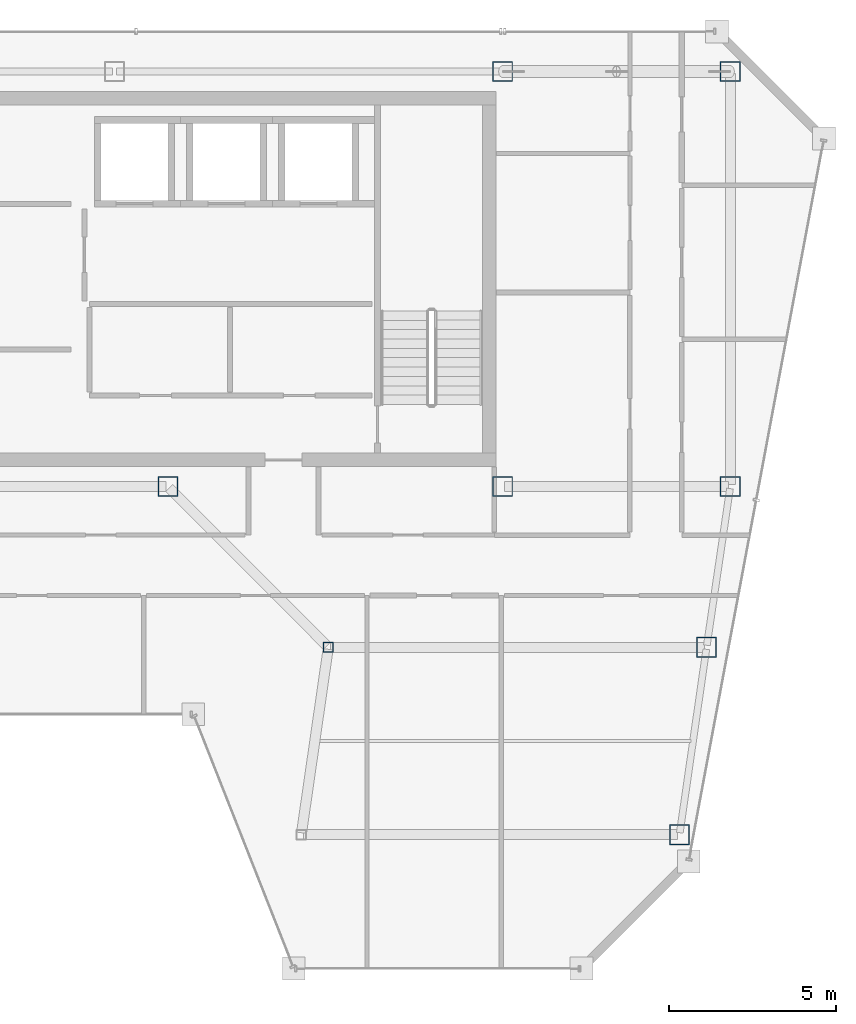
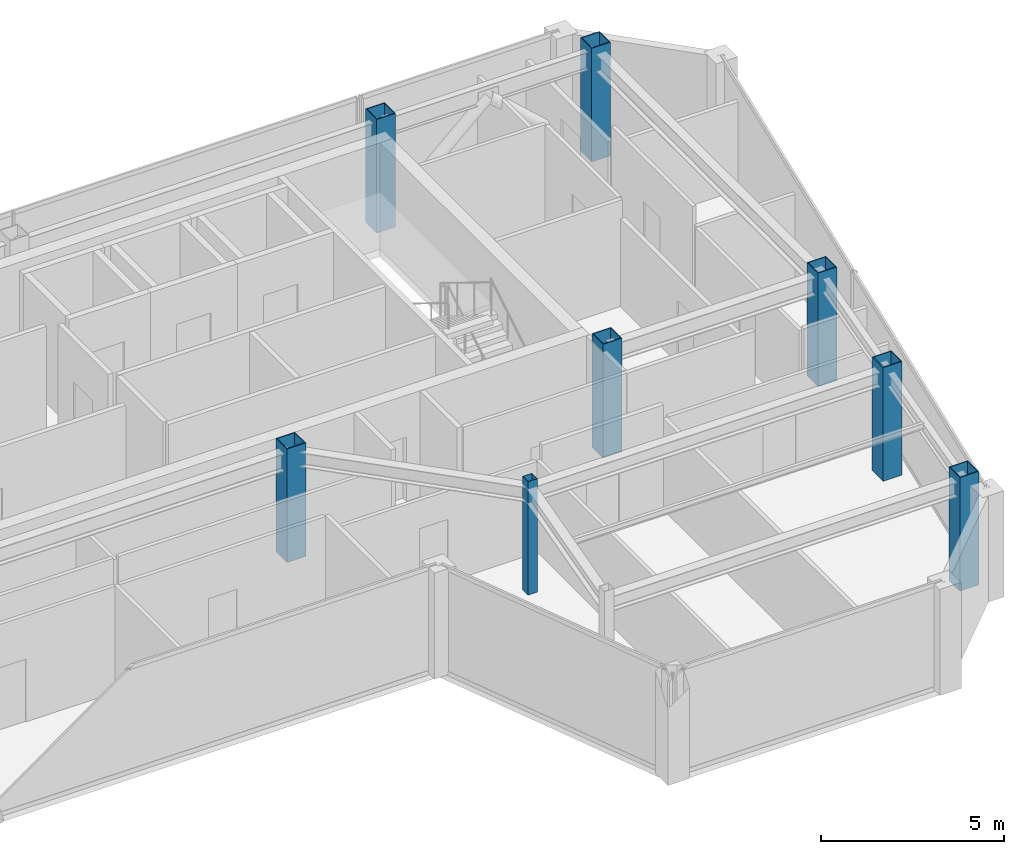
# One storey, part 2 of 23: 8 columns.
"""IFC4 building model written with IfcOpenShell, lengths in metres."""

import ifcopenshell
import ifcopenshell.guid

model = None  # the IFC model being written
_history = None  # IfcOwnerHistory: only IFC2X3 demands one
_inside = {}  # id of a spatial element -> (the spatial element, [elements in it])
_under = {}  # id of a project, library or spatial element -> (it, [spatial elements below it])
_declared = {}  # id of a project -> (the project, [libraries it declares])
_typed = {}  # id of a type object -> (the type object, [elements of that type])
_made_of = {}  # id of a material, layer set ... -> (it, [elements and type objects made of it])


def new_model(schema):
    """Start an empty IFC model of exactly this schema.

    Asked for "IFC4X3", IfcOpenShell would pick the latest addendum, in which some entities
    have other attributes; the version numbers below select the first issue.
    IFC2X3 requires an IfcOwnerHistory on every rooted entity: one is made here for all.
    """
    global model, _history
    if schema == "IFC4X3":
        model = ifcopenshell.file(schema_version=(4, 3, 0, 0))
    else:
        model = ifcopenshell.file(schema=schema)
    _inside.clear()
    _under.clear()
    _declared.clear()
    _typed.clear()
    _made_of.clear()
    _history = None
    if model.schema == "IFC2X3":
        org = make("IfcOrganization", Name="unknown")
        user = make(
            "IfcPersonAndOrganization",
            ThePerson=make("IfcPerson", FamilyName="unknown"),
            TheOrganization=org,
        )
        app = make(
            "IfcApplication",
            ApplicationDeveloper=org,
            Version="unknown",
            ApplicationFullName="unknown",
            ApplicationIdentifier="unknown",
        )
        _history = make(
            "IfcOwnerHistory",
            OwningUser=user,
            OwningApplication=app,
            ChangeAction="ADDED",
            CreationDate=0,
        )
    return model


def make(cls, **values):
    """One entity of the class cls with the attributes given. An attribute that is None is left unset."""
    return model.create_entity(
        cls, **{name: value for name, value in values.items() if value is not None}
    )


def rooted(cls, **values):
    """An entity with a GlobalId (a new one), such as an element, a storey or a relation."""
    return make(cls, GlobalId=ifcopenshell.guid.new(), OwnerHistory=_history, **values)


def si_unit(unit_type, name, prefix=None):
    """IfcSIUnit, for example si_unit("LENGTHUNIT", "METRE", prefix="MILLI")."""
    return make("IfcSIUnit", UnitType=unit_type, Prefix=prefix, Name=name)


def assignment(units):
    """IfcUnitAssignment: the units of a project."""
    return None if units is None else make("IfcUnitAssignment", Units=units)


def point(xyz):
    """IfcCartesianPoint."""
    return None if xyz is None else make("IfcCartesianPoint", Coordinates=xyz)


def direction(xyz):
    """IfcDirection."""
    return None if xyz is None else make("IfcDirection", DirectionRatios=xyz)


def frame(location, z_axis=None, x_axis=None):
    """IfcAxis2Placement3D, a coordinate frame: its origin and axes. An axis left out is left unset."""
    return make(
        "IfcAxis2Placement3D",
        Location=point(location),
        Axis=direction(z_axis),
        RefDirection=direction(x_axis),
    )


def frame_2d(location, x_axis=None):
    """IfcAxis2Placement2D, a coordinate frame in the plane: its origin and x axis."""
    return make(
        "IfcAxis2Placement2D", Location=point(location), RefDirection=direction(x_axis)
    )


def origin():
    """The frame at (0, 0, 0) with its axes left unset."""
    return frame((0.0, 0.0, 0.0))


def origin_2d():
    """The frame at (0, 0) in the plane with its x axis left unset."""
    return frame_2d((0.0, 0.0))


def place(relative_to, where):
    """IfcLocalPlacement: puts the frame where relative to a parent placement (None: the world)."""
    return make(
        "IfcLocalPlacement", PlacementRelTo=relative_to, RelativePlacement=where
    )


def context(
    kind, dimensions, precision=None, world=None, true_north=None, identifier=None
):
    """IfcGeometricRepresentationContext, for example the 3D "Model" context."""
    return make(
        "IfcGeometricRepresentationContext",
        ContextIdentifier=identifier,
        ContextType=kind,
        CoordinateSpaceDimension=dimensions,
        Precision=precision,
        WorldCoordinateSystem=world,
        TrueNorth=true_north,
    )


def subcontext(parent, identifier, kind, view, scale=None):
    """IfcGeometricRepresentationSubContext, for example "Body" below "Model"."""
    return make(
        "IfcGeometricRepresentationSubContext",
        ContextIdentifier=identifier,
        ContextType=kind,
        ParentContext=parent,
        TargetScale=scale,
        TargetView=view,
    )


def project(units=None, contexts=None):
    """IfcProject with its units and contexts."""
    return rooted(
        "IfcProject",
        Name="project",
        RepresentationContexts=contexts,
        UnitsInContext=assignment(units),
    )


def spatial(cls, under=None, at=None, **own):
    """A site, building, storey or space (cls), placed at a placement, below another one or the project."""
    s = rooted(cls, ObjectPlacement=at, **own)
    if under is not None:
        _under.setdefault(under.id(), (under, []))[1].append(s)
    return s


def profile(cls, at=None, kind="AREA", **sizes):
    """A parametric profile (cls). Its sizes go by their IFC names, for example OverallWidth=200.0."""
    return make(cls, ProfileType=kind, Position=at, **sizes)


def hollow_rectangle(**sizes):
    """IfcRectangleHollowProfileDef."""
    return profile("IfcRectangleHollowProfileDef", **sizes)


def extrude(swept, where, along, depth):
    """IfcExtrudedAreaSolid: the profile swept, set in the frame where, extruded along a direction by depth."""
    return make(
        "IfcExtrudedAreaSolid",
        SweptArea=swept,
        Position=where,
        ExtrudedDirection=direction(along),
        Depth=depth,
    )


def shape(context_of_items, identifier, shape_type, items):
    """IfcShapeRepresentation: the items that make up one representation, for example the "Body"."""
    return make(
        "IfcShapeRepresentation",
        ContextOfItems=context_of_items,
        RepresentationIdentifier=identifier,
        RepresentationType=shape_type,
        Items=items,
    )


def material(Name=None, Category=None):
    """IfcMaterial."""
    return make("IfcMaterial", Name=Name, Category=Category)


def material_profile(
    of_material, cross_section, Name=None, Category=None, Priority=None
):
    """IfcMaterialProfile: a cross section and its material."""
    return make(
        "IfcMaterialProfile",
        Name=Name,
        Material=of_material,
        Profile=cross_section,
        Priority=Priority,
        Category=Category,
    )


def profile_set(profiles, Name=None, composite=None):
    """IfcMaterialProfileSet."""
    return make(
        "IfcMaterialProfileSet",
        Name=Name,
        MaterialProfiles=profiles,
        CompositeProfile=composite,
    )


def made_of(thing, what):
    """Note that an element or type object is made of a material, layer set ...; save() writes the relation."""
    if what is not None:
        _made_of.setdefault(what.id(), (what, []))[1].append(thing)
    return thing


def type_object(cls, material=None, **own):
    """A type object (cls), such as IfcWallType, which elements share."""
    return made_of(rooted(cls, **own), material)


def element(
    cls,
    number,
    at=None,
    inside=None,
    cuts=None,
    type_object=None,
    material=None,
    context=None,
    identifier="Body",
    shape_type=None,
    held_by="IfcProductDefinitionShape",
    body=None,
    shapes=None,
    **own,
):
    """One element of the class cls, such as IfcWall. Its Tag is "e" and its number.

    at: its placement. inside: the storey or other place that contains it. cuts: it is an
    opening in that element (IfcRelVoidsElement). A single representation is given by context,
    identifier, shape_type and body (its items); several are given by shapes. held_by: the class
    of the entity that holds the representations. save() writes the other relations.
    """
    e = rooted(cls, Tag="e%d" % number, ObjectPlacement=at, **own)
    if body is not None:
        shapes = [shape(context, identifier, shape_type, body)]
    if shapes is not None:
        e.Representation = make(held_by, Representations=shapes)
    if inside is not None:
        _inside.setdefault(inside.id(), (inside, []))[1].append(e)
    if cuts is not None:
        rooted(
            "IfcRelVoidsElement", RelatingBuildingElement=cuts, RelatedOpeningElement=e
        )
    if type_object is not None:
        _typed.setdefault(type_object.id(), (type_object, []))[1].append(e)
    return made_of(e, material)


def aggregate(whole, parts):
    """IfcRelAggregates: a whole, such as a stair, and the parts it consists of."""
    return rooted("IfcRelAggregates", RelatingObject=whole, RelatedObjects=parts)


def save(model, path):
    """Write the relations noted so far, then the file.

    IfcRelAggregates (storeys below a building ...), IfcRelContainedInSpatialStructure (elements
    in a storey), IfcRelDefinesByType, IfcRelAssociatesMaterial and IfcRelDeclares: one each for
    every whole, place, type object, material and project.
    """
    for whole, parts in _under.values():
        aggregate(whole, parts)
    for where, things in _inside.values():
        rooted(
            "IfcRelContainedInSpatialStructure",
            RelatedElements=things,
            RelatingStructure=where,
        )
    for kind, things in _typed.values():
        rooted("IfcRelDefinesByType", RelatedObjects=things, RelatingType=kind)
    for what, things in _made_of.values():
        rooted("IfcRelAssociatesMaterial", RelatedObjects=things, RelatingMaterial=what)
    for by, libraries in _declared.values():
        rooted("IfcRelDeclares", RelatingContext=by, RelatedDefinitions=libraries)
    model.write(path)


model = new_model("IFC4")

# Units and contexts
model_context = context("Model", 3, precision=1e-05, world=origin(), true_north=direction((0.0, 1.0)))
body_context = subcontext(model_context, "Body", "Model", "MODEL_VIEW")
ifc_project = project(units=[si_unit("LENGTHUNIT", "METRE"), si_unit("AREAUNIT", "SQUARE_METRE"), si_unit("VOLUMEUNIT", "CUBIC_METRE"), si_unit("PLANEANGLEUNIT", "RADIAN"), si_unit("MASSUNIT", "GRAM", prefix="KILO")], contexts=[model_context])

# Site, building, storey
site_placement = place(None, origin())
site = spatial("IfcSite", under=ifc_project, at=site_placement, CompositionType="ELEMENT")
building_placement = place(site_placement, origin())
building = spatial("IfcBuilding", under=site, at=building_placement, Name="Saevonmaru Cultural Tower", CompositionType="ELEMENT")
storey_placement = place(building_placement, frame((0.0, 0.0, 283.800048828125)))
storey = spatial("IfcBuildingStorey", under=building, at=storey_placement, Name="L67", CompositionType="ELEMENT", Elevation=283.800048828125)

# Columns
ifc_material = material(Name="Steel SM355", Category="steel")
ifc_material_profile_1 = material_profile(ifc_material, hollow_rectangle(XDim=0.60009765625, YDim=0.60009765625, WallThickness=0.028076171875, at=origin_2d()), Name="BOX-600x600x28")
ifc_profile_set_1 = profile_set([ifc_material_profile_1], Name="Steel SM355")
column_type_1 = type_object("IfcColumnType", Name="COL-BOX-600", PredefinedType="COLUMN", material=ifc_profile_set_1)
for number, where, z_axis, x_axis, name in (
    (1, (46.39990234375, 54.800048828125, 0.0), (0.0, 0.0, 1.0), (1.0, 0.0, 0.0), "L67 Column TC-N5N"),
    (2, (53.199951171875, 54.800048828125, 0.0), (0.0, 0.0, 1.0), (1.0, 0.0, 0.0), "L67 Column TC-N6N"),
    (3, (36.39990234375, 42.39990234375, 0.0), (0.0, 0.0, 1.0), (1.0, 0.0, 0.0), "L67 Column TC-S4C"),
    (4, (46.39990234375, 42.39990234375, 0.0), (0.0, 0.0, 1.0), (1.0, 0.0, 0.0), "L67 Column TC-S5C"),
    (5, (53.199951171875, 42.39990234375, 0.0), (0.0, 0.0, 1.0), (1.0, 0.0, 0.0), "L67 Column TC-S6C"),
    (6, (51.68310546875, 32.0, 0.0), (0.0, 0.0, 1.0), (1.0, 0.0, 0.0), "L67 Column TC-EO-Y320"),
    (7, (52.491943359375, 37.60009765625, 0.0), (0.0, 0.0, 1.0), (1.0, 0.0, 0.0), "L67 Column TC-EO-Y376"),
):
    element("IfcColumn", number, at=place(storey_placement, frame(where, z_axis=z_axis, x_axis=x_axis)), inside=storey, type_object=column_type_1, Name=name, PredefinedType="COLUMN", context=body_context, shape_type="SweptSolid", body=[
        extrude(hollow_rectangle(XDim=0.60009765625, YDim=0.60009765625, WallThickness=0.028076171875, at=origin_2d()), origin(), (0.0, 0.0, 1.0), 3.800048828125),
    ])
ifc_material_profile_2 = material_profile(ifc_material, hollow_rectangle(XDim=0.300048828125, YDim=0.300048828125, WallThickness=0.011962890625, at=origin_2d()), Name="SHS-300x300x12")
ifc_profile_set_2 = profile_set([ifc_material_profile_2], Name="Steel SM355")
column_type_2 = type_object("IfcColumnType", Name="COL-SHS-300", PredefinedType="COLUMN", material=ifc_profile_set_2)
column_placement = place(storey_placement, frame((41.19189453125, 37.60009765625, 0.0), z_axis=(0.0, 0.0, 1.0), x_axis=(1.0, 0.0, 0.0)))
element("IfcColumn", 8, at=column_placement, inside=storey, type_object=column_type_2, Name="L67 Column TC-EI-Y376", PredefinedType="COLUMN", context=body_context, shape_type="SweptSolid", body=[
    extrude(hollow_rectangle(XDim=0.300048828125, YDim=0.300048828125, WallThickness=0.011962890625, at=origin_2d()), origin(), (0.0, 0.0, 1.0), 3.800048828125),
])

save(model, "model.ifc")
